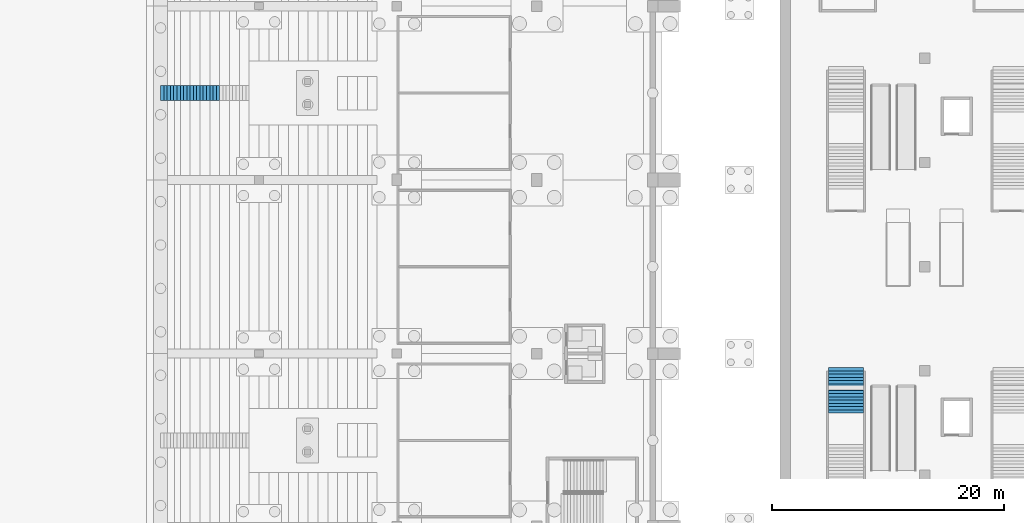
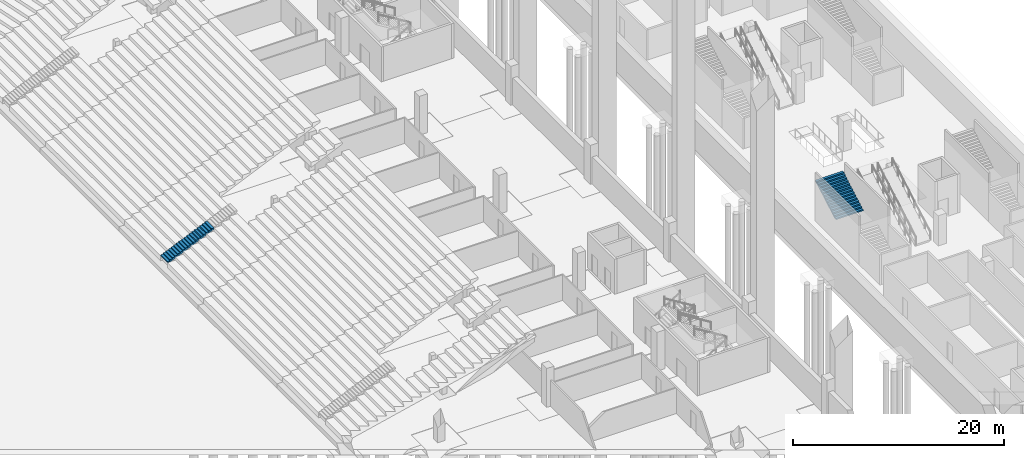
# One storey, part 85 of 115: 2 stair flights, 2 elements without a shape of their own.
"""IFC4 building model written with IfcOpenShell, lengths in metres."""

from ifc_helpers import new_model, si_unit, direction, frame, origin, place, context, subcontext, project, spatial, faceted_brep, material, type_object, element, aggregate, save


model = new_model("IFC4")

# Units and contexts
model_context = context("Model", 3, precision=1e-05, world=origin(), true_north=direction((0.0, 1.0)))
body_context = subcontext(model_context, "Body", "Model", "MODEL_VIEW")
ifc_project = project(units=[si_unit("LENGTHUNIT", "METRE"), si_unit("AREAUNIT", "SQUARE_METRE"), si_unit("VOLUMEUNIT", "CUBIC_METRE"), si_unit("PLANEANGLEUNIT", "RADIAN"), si_unit("MASSUNIT", "GRAM", prefix="KILO")], contexts=[model_context])

# Site, building, storey
site_placement = place(None, origin())
site = spatial("IfcSite", under=ifc_project, at=site_placement, CompositionType="ELEMENT")
building_placement = place(site_placement, origin())
building = spatial("IfcBuilding", under=site, at=building_placement, Name="Ogive Plaza Stadium", CompositionType="ELEMENT")
storey_placement = place(building_placement, frame((0.0, 0.0, -4.5)))
storey = spatial("IfcBuildingStorey", under=building, at=storey_placement, Name="B1", CompositionType="ELEMENT", Elevation=-4.5)

# Stair, stair flight
ifc_material_1 = material(Name="Concrete C40/50", Category="concrete")
stair_type_1 = type_object("IfcStairType", Name="Aisle stair", PredefinedType="STRAIGHT_RUN_STAIR", material=ifc_material_1)
stair_1_placement = place(storey_placement, origin())
stair_1 = element("IfcStair", 1, at=stair_1_placement, inside=storey, type_object=stair_type_1, Name="Aisle stair SA03D", PredefinedType="STRAIGHT_RUN_STAIR")
ifc_material_2 = material(Name="Concrete C40/50", Category="concrete")
stair_flight_type_1 = type_object("IfcStairFlightType", Name="Aisle stair flight", PredefinedType="STRAIGHT", material=ifc_material_2)
stair_flight_1_placement = place(storey_placement, frame((41.5, 15.0, 1.125), z_axis=(0.0, 0.0, 1.0), x_axis=(1.0, 0.0, 0.0)))
stair_flight_1 = element("IfcStairFlight", 2, at=stair_flight_1_placement, type_object=stair_flight_type_1, Name="SA03D flight 1", NumberOfRisers=18, NumberOfTreads=17, PredefinedType="STRAIGHT", RiserHeight=0.125, TreadLength=0.283333333, context=body_context, shape_type="Brep", body=[
    faceted_brep([(0.371337890625, -0.64990234375, 0.0), (5.10009765625, -0.64990234375, 2.086181640625), (5.10009765625, -0.64990234375, 2.25), (4.816650390625, -0.64990234375, 2.25), (4.816650390625, -0.64990234375, 2.125), (4.533447265625, -0.64990234375, 2.125), (4.533447265625, -0.64990234375, 2.0), (4.25, -0.64990234375, 2.0), (4.25, -0.64990234375, 1.875), (3.966552734375, -0.64990234375, 1.875), (3.966552734375, -0.64990234375, 1.75), (3.683349609375, -0.64990234375, 1.75), (3.683349609375, -0.64990234375, 1.625), (3.39990234375, -0.64990234375, 1.625), (3.39990234375, -0.64990234375, 1.5), (3.11669921875, -0.64990234375, 1.5), (3.11669921875, -0.64990234375, 1.375), (2.833251953125, -0.64990234375, 1.375), (2.833251953125, -0.64990234375, 1.25), (2.550048828125, -0.64990234375, 1.25), (2.550048828125, -0.64990234375, 1.125), (2.2666015625, -0.64990234375, 1.125), (2.2666015625, -0.64990234375, 1.0), (1.9833984375, -0.64990234375, 1.0), (1.9833984375, -0.64990234375, 0.875), (1.699951171875, -0.64990234375, 0.875), (1.699951171875, -0.64990234375, 0.75), (1.416748046875, -0.64990234375, 0.75), (1.416748046875, -0.64990234375, 0.625), (1.13330078125, -0.64990234375, 0.625), (1.13330078125, -0.64990234375, 0.5), (0.85009765625, -0.64990234375, 0.5), (0.85009765625, -0.64990234375, 0.375), (0.566650390625, -0.64990234375, 0.375), (0.566650390625, -0.64990234375, 0.25), (0.283447265625, -0.64990234375, 0.25), (0.283447265625, -0.64990234375, 0.125), (0.0, -0.64990234375, 0.125), (0.0, -0.64990234375, 0.0), (0.0, 0.64990234375, 0.0), (0.0, 0.64990234375, 0.125), (0.283447265625, 0.64990234375, 0.125), (0.283447265625, 0.64990234375, 0.25), (0.566650390625, 0.64990234375, 0.25), (0.566650390625, 0.64990234375, 0.375), (0.85009765625, 0.64990234375, 0.375), (0.85009765625, 0.64990234375, 0.5), (1.13330078125, 0.64990234375, 0.5), (1.13330078125, 0.64990234375, 0.625), (1.416748046875, 0.64990234375, 0.625), (1.416748046875, 0.64990234375, 0.75), (1.699951171875, 0.64990234375, 0.75), (1.699951171875, 0.64990234375, 0.875), (1.9833984375, 0.64990234375, 0.875), (1.9833984375, 0.64990234375, 1.0), (2.2666015625, 0.64990234375, 1.0), (2.2666015625, 0.64990234375, 1.125), (2.550048828125, 0.64990234375, 1.125), (2.550048828125, 0.64990234375, 1.25), (2.833251953125, 0.64990234375, 1.25), (2.833251953125, 0.64990234375, 1.375), (3.11669921875, 0.64990234375, 1.375), (3.11669921875, 0.64990234375, 1.5), (3.39990234375, 0.64990234375, 1.5), (3.39990234375, 0.64990234375, 1.625), (3.683349609375, 0.64990234375, 1.625), (3.683349609375, 0.64990234375, 1.75), (3.966552734375, 0.64990234375, 1.75), (3.966552734375, 0.64990234375, 1.875), (4.25, 0.64990234375, 1.875), (4.25, 0.64990234375, 2.0), (4.533447265625, 0.64990234375, 2.0), (4.533447265625, 0.64990234375, 2.125), (4.816650390625, 0.64990234375, 2.125), (4.816650390625, 0.64990234375, 2.25), (5.10009765625, 0.64990234375, 2.25), (5.10009765625, 0.64990234375, 2.086181640625), (0.371337890625, 0.64990234375, 0.0), (0.371337890625, -0.324951171875, 0.0), (5.10009765625, -0.324951171875, 2.086181640625), (0.371337890625, 0.0, 0.0), (5.10009765625, 0.0, 2.086181640625), (0.371337890625, 0.324951171875, 0.0), (5.10009765625, 0.324951171875, 2.086181640625), (5.10009765625, -0.324951171875, 2.25), (5.10009765625, 0.0, 2.25), (5.10009765625, 0.324951171875, 2.25), (4.816650390625, -0.324951171875, 2.25), (4.816650390625, 0.0, 2.25), (4.816650390625, 0.324951171875, 2.25), (4.816650390625, -0.324951171875, 2.125), (4.816650390625, 0.0, 2.125), (4.816650390625, 0.324951171875, 2.125), (4.533447265625, -0.324951171875, 2.125), (4.533447265625, 0.0, 2.125), (4.533447265625, 0.324951171875, 2.125), (4.533447265625, -0.324951171875, 2.0), (4.533447265625, 0.0, 2.0), (4.533447265625, 0.324951171875, 2.0), (4.25, -0.324951171875, 2.0), (4.25, 0.0, 2.0), (4.25, 0.324951171875, 2.0), (4.25, -0.324951171875, 1.875), (4.25, 0.0, 1.875), (4.25, 0.324951171875, 1.875), (3.966552734375, -0.324951171875, 1.875), (3.966552734375, 0.0, 1.875), (3.966552734375, 0.324951171875, 1.875), (3.966552734375, -0.324951171875, 1.75), (3.966552734375, 0.0, 1.75), (3.966552734375, 0.324951171875, 1.75), (3.683349609375, -0.324951171875, 1.75), (3.683349609375, 0.0, 1.75), (3.683349609375, 0.324951171875, 1.75), (3.683349609375, -0.324951171875, 1.625), (3.683349609375, 0.0, 1.625), (3.683349609375, 0.324951171875, 1.625), (3.39990234375, -0.324951171875, 1.625), (3.39990234375, 0.0, 1.625), (3.39990234375, 0.324951171875, 1.625), (3.39990234375, -0.324951171875, 1.5), (3.39990234375, 0.0, 1.5), (3.39990234375, 0.324951171875, 1.5), (3.11669921875, -0.324951171875, 1.5), (3.11669921875, 0.0, 1.5), (3.11669921875, 0.324951171875, 1.5), (3.11669921875, -0.324951171875, 1.375), (3.11669921875, 0.0, 1.375), (3.11669921875, 0.324951171875, 1.375), (2.833251953125, -0.324951171875, 1.375), (2.833251953125, 0.0, 1.375), (2.833251953125, 0.324951171875, 1.375), (2.833251953125, -0.324951171875, 1.25), (2.833251953125, 0.0, 1.25), (2.833251953125, 0.324951171875, 1.25), (2.550048828125, -0.324951171875, 1.25), (2.550048828125, 0.0, 1.25), (2.550048828125, 0.324951171875, 1.25), (2.550048828125, -0.324951171875, 1.125), (2.550048828125, 0.0, 1.125), (2.550048828125, 0.324951171875, 1.125), (2.2666015625, -0.324951171875, 1.125), (2.2666015625, 0.0, 1.125), (2.2666015625, 0.324951171875, 1.125), (2.2666015625, -0.324951171875, 1.0), (2.2666015625, 0.0, 1.0), (2.2666015625, 0.324951171875, 1.0), (1.9833984375, -0.324951171875, 1.0), (1.9833984375, 0.0, 1.0), (1.9833984375, 0.324951171875, 1.0), (1.9833984375, -0.324951171875, 0.875), (1.9833984375, 0.0, 0.875), (1.9833984375, 0.324951171875, 0.875), (1.699951171875, -0.324951171875, 0.875), (1.699951171875, 0.0, 0.875), (1.699951171875, 0.324951171875, 0.875), (1.699951171875, -0.324951171875, 0.75), (1.699951171875, 0.0, 0.75), (1.699951171875, 0.324951171875, 0.75), (1.416748046875, -0.324951171875, 0.75), (1.416748046875, 0.0, 0.75), (1.416748046875, 0.324951171875, 0.75), (1.416748046875, -0.324951171875, 0.625), (1.416748046875, 0.0, 0.625), (1.416748046875, 0.324951171875, 0.625), (1.13330078125, -0.324951171875, 0.625), (1.13330078125, 0.0, 0.625), (1.13330078125, 0.324951171875, 0.625), (1.13330078125, -0.324951171875, 0.5), (1.13330078125, 0.0, 0.5), (1.13330078125, 0.324951171875, 0.5), (0.85009765625, -0.324951171875, 0.5), (0.85009765625, 0.0, 0.5), (0.85009765625, 0.324951171875, 0.5), (0.85009765625, -0.324951171875, 0.375), (0.85009765625, 0.0, 0.375), (0.85009765625, 0.324951171875, 0.375), (0.566650390625, -0.324951171875, 0.375), (0.566650390625, 0.0, 0.375), (0.566650390625, 0.324951171875, 0.375), (0.566650390625, -0.324951171875, 0.25), (0.566650390625, 0.0, 0.25), (0.566650390625, 0.324951171875, 0.25), (0.283447265625, -0.324951171875, 0.25), (0.283447265625, 0.0, 0.25), (0.283447265625, 0.324951171875, 0.25), (0.283447265625, -0.324951171875, 0.125), (0.283447265625, 0.0, 0.125), (0.283447265625, 0.324951171875, 0.125), (0.0, -0.324951171875, 0.125), (0.0, 0.0, 0.125), (0.0, 0.324951171875, 0.125), (0.0, -0.324951171875, 0.0), (0.0, 0.0, 0.0), (0.0, 0.324951171875, 0.0)], [[[0, 1, 2, 3, 4, 5, 6, 7, 8, 9, 10, 11, 12, 13, 14, 15, 16, 17, 18, 19, 20, 21, 22, 23, 24, 25, 26, 27, 28, 29, 30, 31, 32, 33, 34, 35, 36, 37, 38]], [[39, 40, 41, 42, 43, 44, 45, 46, 47, 48, 49, 50, 51, 52, 53, 54, 55, 56, 57, 58, 59, 60, 61, 62, 63, 64, 65, 66, 67, 68, 69, 70, 71, 72, 73, 74, 75, 76, 77]], [[0, 78, 79, 1]], [[78, 80, 81, 79]], [[80, 82, 83, 81]], [[82, 77, 76, 83]], [[1, 79, 84, 2]], [[79, 81, 85, 84]], [[81, 83, 86, 85]], [[83, 76, 75, 86]], [[2, 84, 87, 3]], [[84, 85, 88, 87]], [[85, 86, 89, 88]], [[86, 75, 74, 89]], [[3, 87, 90, 4]], [[87, 88, 91, 90]], [[88, 89, 92, 91]], [[89, 74, 73, 92]], [[4, 90, 93, 5]], [[90, 91, 94, 93]], [[91, 92, 95, 94]], [[92, 73, 72, 95]], [[5, 93, 96, 6]], [[93, 94, 97, 96]], [[94, 95, 98, 97]], [[95, 72, 71, 98]], [[6, 96, 99, 7]], [[96, 97, 100, 99]], [[97, 98, 101, 100]], [[98, 71, 70, 101]], [[7, 99, 102, 8]], [[99, 100, 103, 102]], [[100, 101, 104, 103]], [[101, 70, 69, 104]], [[8, 102, 105, 9]], [[102, 103, 106, 105]], [[103, 104, 107, 106]], [[104, 69, 68, 107]], [[9, 105, 108, 10]], [[105, 106, 109, 108]], [[106, 107, 110, 109]], [[107, 68, 67, 110]], [[10, 108, 111, 11]], [[108, 109, 112, 111]], [[109, 110, 113, 112]], [[110, 67, 66, 113]], [[11, 111, 114, 12]], [[111, 112, 115, 114]], [[112, 113, 116, 115]], [[113, 66, 65, 116]], [[12, 114, 117, 13]], [[114, 115, 118, 117]], [[115, 116, 119, 118]], [[116, 65, 64, 119]], [[13, 117, 120, 14]], [[117, 118, 121, 120]], [[118, 119, 122, 121]], [[119, 64, 63, 122]], [[14, 120, 123, 15]], [[120, 121, 124, 123]], [[121, 122, 125, 124]], [[122, 63, 62, 125]], [[15, 123, 126, 16]], [[123, 124, 127, 126]], [[124, 125, 128, 127]], [[125, 62, 61, 128]], [[16, 126, 129, 17]], [[126, 127, 130, 129]], [[127, 128, 131, 130]], [[128, 61, 60, 131]], [[17, 129, 132, 18]], [[129, 130, 133, 132]], [[130, 131, 134, 133]], [[131, 60, 59, 134]], [[18, 132, 135, 19]], [[132, 133, 136, 135]], [[133, 134, 137, 136]], [[134, 59, 58, 137]], [[19, 135, 138, 20]], [[135, 136, 139, 138]], [[136, 137, 140, 139]], [[137, 58, 57, 140]], [[20, 138, 141, 21]], [[138, 139, 142, 141]], [[139, 140, 143, 142]], [[140, 57, 56, 143]], [[21, 141, 144, 22]], [[141, 142, 145, 144]], [[142, 143, 146, 145]], [[143, 56, 55, 146]], [[22, 144, 147, 23]], [[144, 145, 148, 147]], [[145, 146, 149, 148]], [[146, 55, 54, 149]], [[23, 147, 150, 24]], [[147, 148, 151, 150]], [[148, 149, 152, 151]], [[149, 54, 53, 152]], [[24, 150, 153, 25]], [[150, 151, 154, 153]], [[151, 152, 155, 154]], [[152, 53, 52, 155]], [[25, 153, 156, 26]], [[153, 154, 157, 156]], [[154, 155, 158, 157]], [[155, 52, 51, 158]], [[26, 156, 159, 27]], [[156, 157, 160, 159]], [[157, 158, 161, 160]], [[158, 51, 50, 161]], [[27, 159, 162, 28]], [[159, 160, 163, 162]], [[160, 161, 164, 163]], [[161, 50, 49, 164]], [[28, 162, 165, 29]], [[162, 163, 166, 165]], [[163, 164, 167, 166]], [[164, 49, 48, 167]], [[29, 165, 168, 30]], [[165, 166, 169, 168]], [[166, 167, 170, 169]], [[167, 48, 47, 170]], [[30, 168, 171, 31]], [[168, 169, 172, 171]], [[169, 170, 173, 172]], [[170, 47, 46, 173]], [[31, 171, 174, 32]], [[171, 172, 175, 174]], [[172, 173, 176, 175]], [[173, 46, 45, 176]], [[32, 174, 177, 33]], [[174, 175, 178, 177]], [[175, 176, 179, 178]], [[176, 45, 44, 179]], [[33, 177, 180, 34]], [[177, 178, 181, 180]], [[178, 179, 182, 181]], [[179, 44, 43, 182]], [[34, 180, 183, 35]], [[180, 181, 184, 183]], [[181, 182, 185, 184]], [[182, 43, 42, 185]], [[35, 183, 186, 36]], [[183, 184, 187, 186]], [[184, 185, 188, 187]], [[185, 42, 41, 188]], [[36, 186, 189, 37]], [[186, 187, 190, 189]], [[187, 188, 191, 190]], [[188, 41, 40, 191]], [[37, 189, 192, 38]], [[189, 190, 193, 192]], [[190, 191, 194, 193]], [[191, 40, 39, 194]], [[38, 192, 78, 0]], [[192, 193, 80, 78]], [[193, 194, 82, 80]], [[194, 39, 77, 82]]]),
])
aggregate(stair_1, [stair_flight_1])

ifc_material_3 = material(Name="Concrete C40/50", Category="concrete")
stair_type_2 = type_object("IfcStairType", Name="Station stair 3000", PredefinedType="TWO_STRAIGHT_RUN_STAIR", material=ifc_material_3)
stair_2_placement = place(storey_placement, origin())
stair_2 = element("IfcStair", 3, at=stair_2_placement, inside=storey, type_object=stair_type_2, Name="Stair QS1", PredefinedType="TWO_STRAIGHT_RUN_STAIR")
ifc_material_4 = material(Name="Concrete C40/50", Category="concrete")
stair_flight_type_2 = type_object("IfcStairFlightType", Name="Station stair flight 3000", PredefinedType="STRAIGHT", material=ifc_material_4)
stair_flight_2_placement = place(storey_placement, frame((100.699951171875, -12.639892578125, 2.25), z_axis=(0.0, 0.0, 1.0), x_axis=(0.0, 1.0, 0.0)))
stair_flight_2 = element("IfcStairFlight", 4, at=stair_flight_2_placement, type_object=stair_flight_type_2, Name="QS1 flight 2", NumberOfRisers=14, NumberOfTreads=13, PredefinedType="STRAIGHT", RiserHeight=0.160714286, TreadLength=0.28, context=body_context, shape_type="Brep", body=[
    faceted_brep([(0.301025390625, -1.5, 0.0), (3.919921875, -1.5, 2.0771484375), (3.919921875, -1.5, 2.25), (3.639892578125, -1.5, 2.25), (3.639892578125, -1.5, 2.08935546875), (3.360107421875, -1.5, 2.08935546875), (3.360107421875, -1.5, 1.928466796875), (3.080078125, -1.5, 1.928466796875), (3.080078125, -1.5, 1.767822265625), (2.800048828125, -1.5, 1.767822265625), (2.800048828125, -1.5, 1.607177734375), (2.52001953125, -1.5, 1.607177734375), (2.52001953125, -1.5, 1.446533203125), (2.239990234375, -1.5, 1.446533203125), (2.239990234375, -1.5, 1.28564453125), (1.9599609375, -1.5, 1.28564453125), (1.9599609375, -1.5, 1.125), (1.679931640625, -1.5, 1.125), (1.679931640625, -1.5, 0.96435546875), (1.39990234375, -1.5, 0.96435546875), (1.39990234375, -1.5, 0.803466796875), (1.1201171875, -1.5, 0.803466796875), (1.1201171875, -1.5, 0.642822265625), (0.840087890625, -1.5, 0.642822265625), (0.840087890625, -1.5, 0.482177734375), (0.56005859375, -1.5, 0.482177734375), (0.56005859375, -1.5, 0.321533203125), (0.280029296875, -1.5, 0.321533203125), (0.280029296875, -1.5, 0.16064453125), (0.0, -1.5, 0.16064453125), (0.0, -1.5, 0.0), (0.0, 1.5, 0.0), (0.0, 1.5, 0.16064453125), (0.280029296875, 1.5, 0.16064453125), (0.280029296875, 1.5, 0.321533203125), (0.56005859375, 1.5, 0.321533203125), (0.56005859375, 1.5, 0.482177734375), (0.840087890625, 1.5, 0.482177734375), (0.840087890625, 1.5, 0.642822265625), (1.1201171875, 1.5, 0.642822265625), (1.1201171875, 1.5, 0.803466796875), (1.39990234375, 1.5, 0.803466796875), (1.39990234375, 1.5, 0.96435546875), (1.679931640625, 1.5, 0.96435546875), (1.679931640625, 1.5, 1.125), (1.9599609375, 1.5, 1.125), (1.9599609375, 1.5, 1.28564453125), (2.239990234375, 1.5, 1.28564453125), (2.239990234375, 1.5, 1.446533203125), (2.52001953125, 1.5, 1.446533203125), (2.52001953125, 1.5, 1.607177734375), (2.800048828125, 1.5, 1.607177734375), (2.800048828125, 1.5, 1.767822265625), (3.080078125, 1.5, 1.767822265625), (3.080078125, 1.5, 1.928466796875), (3.360107421875, 1.5, 1.928466796875), (3.360107421875, 1.5, 2.08935546875), (3.639892578125, 1.5, 2.08935546875), (3.639892578125, 1.5, 2.25), (3.919921875, 1.5, 2.25), (3.919921875, 1.5, 2.0771484375), (0.301025390625, 1.5, 0.0), (0.301025390625, -1.166748046875, 0.0), (3.919921875, -1.166748046875, 2.0771484375), (0.301025390625, -0.833251953125, 0.0), (3.919921875, -0.833251953125, 2.0771484375), (0.301025390625, -0.5, 0.0), (3.919921875, -0.5, 2.0771484375), (0.301025390625, -0.166748046875, 0.0), (3.919921875, -0.166748046875, 2.0771484375), (0.301025390625, 0.166748046875, 0.0), (3.919921875, 0.166748046875, 2.0771484375), (0.301025390625, 0.5, 0.0), (3.919921875, 0.5, 2.0771484375), (0.301025390625, 0.833251953125, 0.0), (3.919921875, 0.833251953125, 2.0771484375), (0.301025390625, 1.166748046875, 0.0), (3.919921875, 1.166748046875, 2.0771484375), (3.919921875, -1.166748046875, 2.25), (3.919921875, -0.833251953125, 2.25), (3.919921875, -0.5, 2.25), (3.919921875, -0.166748046875, 2.25), (3.919921875, 0.166748046875, 2.25), (3.919921875, 0.5, 2.25), (3.919921875, 0.833251953125, 2.25), (3.919921875, 1.166748046875, 2.25), (3.639892578125, -1.166748046875, 2.25), (3.639892578125, -0.833251953125, 2.25), (3.639892578125, -0.5, 2.25), (3.639892578125, -0.166748046875, 2.25), (3.639892578125, 0.166748046875, 2.25), (3.639892578125, 0.5, 2.25), (3.639892578125, 0.833251953125, 2.25), (3.639892578125, 1.166748046875, 2.25), (3.639892578125, -1.166748046875, 2.08935546875), (3.639892578125, -0.833251953125, 2.08935546875), (3.639892578125, -0.5, 2.08935546875), (3.639892578125, -0.166748046875, 2.08935546875), (3.639892578125, 0.166748046875, 2.08935546875), (3.639892578125, 0.5, 2.08935546875), (3.639892578125, 0.833251953125, 2.08935546875), (3.639892578125, 1.166748046875, 2.08935546875), (3.360107421875, -1.166748046875, 2.08935546875), (3.360107421875, -0.833251953125, 2.08935546875), (3.360107421875, -0.5, 2.08935546875), (3.360107421875, -0.166748046875, 2.08935546875), (3.360107421875, 0.166748046875, 2.08935546875), (3.360107421875, 0.5, 2.08935546875), (3.360107421875, 0.833251953125, 2.08935546875), (3.360107421875, 1.166748046875, 2.08935546875), (3.360107421875, -1.166748046875, 1.928466796875), (3.360107421875, -0.833251953125, 1.928466796875), (3.360107421875, -0.5, 1.928466796875), (3.360107421875, -0.166748046875, 1.928466796875), (3.360107421875, 0.166748046875, 1.928466796875), (3.360107421875, 0.5, 1.928466796875), (3.360107421875, 0.833251953125, 1.928466796875), (3.360107421875, 1.166748046875, 1.928466796875), (3.080078125, -1.166748046875, 1.928466796875), (3.080078125, -0.833251953125, 1.928466796875), (3.080078125, -0.5, 1.928466796875), (3.080078125, -0.166748046875, 1.928466796875), (3.080078125, 0.166748046875, 1.928466796875), (3.080078125, 0.5, 1.928466796875), (3.080078125, 0.833251953125, 1.928466796875), (3.080078125, 1.166748046875, 1.928466796875), (3.080078125, -1.166748046875, 1.767822265625), (3.080078125, -0.833251953125, 1.767822265625), (3.080078125, -0.5, 1.767822265625), (3.080078125, -0.166748046875, 1.767822265625), (3.080078125, 0.166748046875, 1.767822265625), (3.080078125, 0.5, 1.767822265625), (3.080078125, 0.833251953125, 1.767822265625), (3.080078125, 1.166748046875, 1.767822265625), (2.800048828125, -1.166748046875, 1.767822265625), (2.800048828125, -0.833251953125, 1.767822265625), (2.800048828125, -0.5, 1.767822265625), (2.800048828125, -0.166748046875, 1.767822265625), (2.800048828125, 0.166748046875, 1.767822265625), (2.800048828125, 0.5, 1.767822265625), (2.800048828125, 0.833251953125, 1.767822265625), (2.800048828125, 1.166748046875, 1.767822265625), (2.800048828125, -1.166748046875, 1.607177734375), (2.800048828125, -0.833251953125, 1.607177734375), (2.800048828125, -0.5, 1.607177734375), (2.800048828125, -0.166748046875, 1.607177734375), (2.800048828125, 0.166748046875, 1.607177734375), (2.800048828125, 0.5, 1.607177734375), (2.800048828125, 0.833251953125, 1.607177734375), (2.800048828125, 1.166748046875, 1.607177734375), (2.52001953125, -1.166748046875, 1.607177734375), (2.52001953125, -0.833251953125, 1.607177734375), (2.52001953125, -0.5, 1.607177734375), (2.52001953125, -0.166748046875, 1.607177734375), (2.52001953125, 0.166748046875, 1.607177734375), (2.52001953125, 0.5, 1.607177734375), (2.52001953125, 0.833251953125, 1.607177734375), (2.52001953125, 1.166748046875, 1.607177734375), (2.52001953125, -1.166748046875, 1.446533203125), (2.52001953125, -0.833251953125, 1.446533203125), (2.52001953125, -0.5, 1.446533203125), (2.52001953125, -0.166748046875, 1.446533203125), (2.52001953125, 0.166748046875, 1.446533203125), (2.52001953125, 0.5, 1.446533203125), (2.52001953125, 0.833251953125, 1.446533203125), (2.52001953125, 1.166748046875, 1.446533203125), (2.239990234375, -1.166748046875, 1.446533203125), (2.239990234375, -0.833251953125, 1.446533203125), (2.239990234375, -0.5, 1.446533203125), (2.239990234375, -0.166748046875, 1.446533203125), (2.239990234375, 0.166748046875, 1.446533203125), (2.239990234375, 0.5, 1.446533203125), (2.239990234375, 0.833251953125, 1.446533203125), (2.239990234375, 1.166748046875, 1.446533203125), (2.239990234375, -1.166748046875, 1.28564453125), (2.239990234375, -0.833251953125, 1.28564453125), (2.239990234375, -0.5, 1.28564453125), (2.239990234375, -0.166748046875, 1.28564453125), (2.239990234375, 0.166748046875, 1.28564453125), (2.239990234375, 0.5, 1.28564453125), (2.239990234375, 0.833251953125, 1.28564453125), (2.239990234375, 1.166748046875, 1.28564453125), (1.9599609375, -1.166748046875, 1.28564453125), (1.9599609375, -0.833251953125, 1.28564453125), (1.9599609375, -0.5, 1.28564453125), (1.9599609375, -0.166748046875, 1.28564453125), (1.9599609375, 0.166748046875, 1.28564453125), (1.9599609375, 0.5, 1.28564453125), (1.9599609375, 0.833251953125, 1.28564453125), (1.9599609375, 1.166748046875, 1.28564453125), (1.9599609375, -1.166748046875, 1.125), (1.9599609375, -0.833251953125, 1.125), (1.9599609375, -0.5, 1.125), (1.9599609375, -0.166748046875, 1.125), (1.9599609375, 0.166748046875, 1.125), (1.9599609375, 0.5, 1.125), (1.9599609375, 0.833251953125, 1.125), (1.9599609375, 1.166748046875, 1.125), (1.679931640625, -1.166748046875, 1.125), (1.679931640625, -0.833251953125, 1.125), (1.679931640625, -0.5, 1.125), (1.679931640625, -0.166748046875, 1.125), (1.679931640625, 0.166748046875, 1.125), (1.679931640625, 0.5, 1.125), (1.679931640625, 0.833251953125, 1.125), (1.679931640625, 1.166748046875, 1.125), (1.679931640625, -1.166748046875, 0.96435546875), (1.679931640625, -0.833251953125, 0.96435546875), (1.679931640625, -0.5, 0.96435546875), (1.679931640625, -0.166748046875, 0.96435546875), (1.679931640625, 0.166748046875, 0.96435546875), (1.679931640625, 0.5, 0.96435546875), (1.679931640625, 0.833251953125, 0.96435546875), (1.679931640625, 1.166748046875, 0.96435546875), (1.39990234375, -1.166748046875, 0.96435546875), (1.39990234375, -0.833251953125, 0.96435546875), (1.39990234375, -0.5, 0.96435546875), (1.39990234375, -0.166748046875, 0.96435546875), (1.39990234375, 0.166748046875, 0.96435546875), (1.39990234375, 0.5, 0.96435546875), (1.39990234375, 0.833251953125, 0.96435546875), (1.39990234375, 1.166748046875, 0.96435546875), (1.39990234375, -1.166748046875, 0.803466796875), (1.39990234375, -0.833251953125, 0.803466796875), (1.39990234375, -0.5, 0.803466796875), (1.39990234375, -0.166748046875, 0.803466796875), (1.39990234375, 0.166748046875, 0.803466796875), (1.39990234375, 0.5, 0.803466796875), (1.39990234375, 0.833251953125, 0.803466796875), (1.39990234375, 1.166748046875, 0.803466796875), (1.1201171875, -1.166748046875, 0.803466796875), (1.1201171875, -0.833251953125, 0.803466796875), (1.1201171875, -0.5, 0.803466796875), (1.1201171875, -0.166748046875, 0.803466796875), (1.1201171875, 0.166748046875, 0.803466796875), (1.1201171875, 0.5, 0.803466796875), (1.1201171875, 0.833251953125, 0.803466796875), (1.1201171875, 1.166748046875, 0.803466796875), (1.1201171875, -1.166748046875, 0.642822265625), (1.1201171875, -0.833251953125, 0.642822265625), (1.1201171875, -0.5, 0.642822265625), (1.1201171875, -0.166748046875, 0.642822265625), (1.1201171875, 0.166748046875, 0.642822265625), (1.1201171875, 0.5, 0.642822265625), (1.1201171875, 0.833251953125, 0.642822265625), (1.1201171875, 1.166748046875, 0.642822265625), (0.840087890625, -1.166748046875, 0.642822265625), (0.840087890625, -0.833251953125, 0.642822265625), (0.840087890625, -0.5, 0.642822265625), (0.840087890625, -0.166748046875, 0.642822265625), (0.840087890625, 0.166748046875, 0.642822265625), (0.840087890625, 0.5, 0.642822265625), (0.840087890625, 0.833251953125, 0.642822265625), (0.840087890625, 1.166748046875, 0.642822265625), (0.840087890625, -1.166748046875, 0.482177734375), (0.840087890625, -0.833251953125, 0.482177734375), (0.840087890625, -0.5, 0.482177734375), (0.840087890625, -0.166748046875, 0.482177734375), (0.840087890625, 0.166748046875, 0.482177734375), (0.840087890625, 0.5, 0.482177734375), (0.840087890625, 0.833251953125, 0.482177734375), (0.840087890625, 1.166748046875, 0.482177734375), (0.56005859375, -1.166748046875, 0.482177734375), (0.56005859375, -0.833251953125, 0.482177734375), (0.56005859375, -0.5, 0.482177734375), (0.56005859375, -0.166748046875, 0.482177734375), (0.56005859375, 0.166748046875, 0.482177734375), (0.56005859375, 0.5, 0.482177734375), (0.56005859375, 0.833251953125, 0.482177734375), (0.56005859375, 1.166748046875, 0.482177734375), (0.56005859375, -1.166748046875, 0.321533203125), (0.56005859375, -0.833251953125, 0.321533203125), (0.56005859375, -0.5, 0.321533203125), (0.56005859375, -0.166748046875, 0.321533203125), (0.56005859375, 0.166748046875, 0.321533203125), (0.56005859375, 0.5, 0.321533203125), (0.56005859375, 0.833251953125, 0.321533203125), (0.56005859375, 1.166748046875, 0.321533203125), (0.280029296875, -1.166748046875, 0.321533203125), (0.280029296875, -0.833251953125, 0.321533203125), (0.280029296875, -0.5, 0.321533203125), (0.280029296875, -0.166748046875, 0.321533203125), (0.280029296875, 0.166748046875, 0.321533203125), (0.280029296875, 0.5, 0.321533203125), (0.280029296875, 0.833251953125, 0.321533203125), (0.280029296875, 1.166748046875, 0.321533203125), (0.280029296875, -1.166748046875, 0.16064453125), (0.280029296875, -0.833251953125, 0.16064453125), (0.280029296875, -0.5, 0.16064453125), (0.280029296875, -0.166748046875, 0.16064453125), (0.280029296875, 0.166748046875, 0.16064453125), (0.280029296875, 0.5, 0.16064453125), (0.280029296875, 0.833251953125, 0.16064453125), (0.280029296875, 1.166748046875, 0.16064453125), (0.0, -1.166748046875, 0.16064453125), (0.0, -0.833251953125, 0.16064453125), (0.0, -0.5, 0.16064453125), (0.0, -0.166748046875, 0.16064453125), (0.0, 0.166748046875, 0.16064453125), (0.0, 0.5, 0.16064453125), (0.0, 0.833251953125, 0.16064453125), (0.0, 1.166748046875, 0.16064453125), (0.0, -1.166748046875, 0.0), (0.0, -0.833251953125, 0.0), (0.0, -0.5, 0.0), (0.0, -0.166748046875, 0.0), (0.0, 0.166748046875, 0.0), (0.0, 0.5, 0.0), (0.0, 0.833251953125, 0.0), (0.0, 1.166748046875, 0.0)], [[[0, 1, 2, 3, 4, 5, 6, 7, 8, 9, 10, 11, 12, 13, 14, 15, 16, 17, 18, 19, 20, 21, 22, 23, 24, 25, 26, 27, 28, 29, 30]], [[31, 32, 33, 34, 35, 36, 37, 38, 39, 40, 41, 42, 43, 44, 45, 46, 47, 48, 49, 50, 51, 52, 53, 54, 55, 56, 57, 58, 59, 60, 61]], [[0, 62, 63, 1]], [[62, 64, 65, 63]], [[64, 66, 67, 65]], [[66, 68, 69, 67]], [[68, 70, 71, 69]], [[70, 72, 73, 71]], [[72, 74, 75, 73]], [[74, 76, 77, 75]], [[76, 61, 60, 77]], [[1, 63, 78, 2]], [[63, 65, 79, 78]], [[65, 67, 80, 79]], [[67, 69, 81, 80]], [[69, 71, 82, 81]], [[71, 73, 83, 82]], [[73, 75, 84, 83]], [[75, 77, 85, 84]], [[77, 60, 59, 85]], [[2, 78, 86, 3]], [[78, 79, 87, 86]], [[79, 80, 88, 87]], [[80, 81, 89, 88]], [[81, 82, 90, 89]], [[82, 83, 91, 90]], [[83, 84, 92, 91]], [[84, 85, 93, 92]], [[85, 59, 58, 93]], [[3, 86, 94, 4]], [[86, 87, 95, 94]], [[87, 88, 96, 95]], [[88, 89, 97, 96]], [[89, 90, 98, 97]], [[90, 91, 99, 98]], [[91, 92, 100, 99]], [[92, 93, 101, 100]], [[93, 58, 57, 101]], [[4, 94, 102, 5]], [[94, 95, 103, 102]], [[95, 96, 104, 103]], [[96, 97, 105, 104]], [[97, 98, 106, 105]], [[98, 99, 107, 106]], [[99, 100, 108, 107]], [[100, 101, 109, 108]], [[101, 57, 56, 109]], [[5, 102, 110, 6]], [[102, 103, 111, 110]], [[103, 104, 112, 111]], [[104, 105, 113, 112]], [[105, 106, 114, 113]], [[106, 107, 115, 114]], [[107, 108, 116, 115]], [[108, 109, 117, 116]], [[109, 56, 55, 117]], [[6, 110, 118, 7]], [[110, 111, 119, 118]], [[111, 112, 120, 119]], [[112, 113, 121, 120]], [[113, 114, 122, 121]], [[114, 115, 123, 122]], [[115, 116, 124, 123]], [[116, 117, 125, 124]], [[117, 55, 54, 125]], [[7, 118, 126, 8]], [[118, 119, 127, 126]], [[119, 120, 128, 127]], [[120, 121, 129, 128]], [[121, 122, 130, 129]], [[122, 123, 131, 130]], [[123, 124, 132, 131]], [[124, 125, 133, 132]], [[125, 54, 53, 133]], [[8, 126, 134, 9]], [[126, 127, 135, 134]], [[127, 128, 136, 135]], [[128, 129, 137, 136]], [[129, 130, 138, 137]], [[130, 131, 139, 138]], [[131, 132, 140, 139]], [[132, 133, 141, 140]], [[133, 53, 52, 141]], [[9, 134, 142, 10]], [[134, 135, 143, 142]], [[135, 136, 144, 143]], [[136, 137, 145, 144]], [[137, 138, 146, 145]], [[138, 139, 147, 146]], [[139, 140, 148, 147]], [[140, 141, 149, 148]], [[141, 52, 51, 149]], [[10, 142, 150, 11]], [[142, 143, 151, 150]], [[143, 144, 152, 151]], [[144, 145, 153, 152]], [[145, 146, 154, 153]], [[146, 147, 155, 154]], [[147, 148, 156, 155]], [[148, 149, 157, 156]], [[149, 51, 50, 157]], [[11, 150, 158, 12]], [[150, 151, 159, 158]], [[151, 152, 160, 159]], [[152, 153, 161, 160]], [[153, 154, 162, 161]], [[154, 155, 163, 162]], [[155, 156, 164, 163]], [[156, 157, 165, 164]], [[157, 50, 49, 165]], [[12, 158, 166, 13]], [[158, 159, 167, 166]], [[159, 160, 168, 167]], [[160, 161, 169, 168]], [[161, 162, 170, 169]], [[162, 163, 171, 170]], [[163, 164, 172, 171]], [[164, 165, 173, 172]], [[165, 49, 48, 173]], [[13, 166, 174, 14]], [[166, 167, 175, 174]], [[167, 168, 176, 175]], [[168, 169, 177, 176]], [[169, 170, 178, 177]], [[170, 171, 179, 178]], [[171, 172, 180, 179]], [[172, 173, 181, 180]], [[173, 48, 47, 181]], [[14, 174, 182, 15]], [[174, 175, 183, 182]], [[175, 176, 184, 183]], [[176, 177, 185, 184]], [[177, 178, 186, 185]], [[178, 179, 187, 186]], [[179, 180, 188, 187]], [[180, 181, 189, 188]], [[181, 47, 46, 189]], [[15, 182, 190, 16]], [[182, 183, 191, 190]], [[183, 184, 192, 191]], [[184, 185, 193, 192]], [[185, 186, 194, 193]], [[186, 187, 195, 194]], [[187, 188, 196, 195]], [[188, 189, 197, 196]], [[189, 46, 45, 197]], [[16, 190, 198, 17]], [[190, 191, 199, 198]], [[191, 192, 200, 199]], [[192, 193, 201, 200]], [[193, 194, 202, 201]], [[194, 195, 203, 202]], [[195, 196, 204, 203]], [[196, 197, 205, 204]], [[197, 45, 44, 205]], [[17, 198, 206, 18]], [[198, 199, 207, 206]], [[199, 200, 208, 207]], [[200, 201, 209, 208]], [[201, 202, 210, 209]], [[202, 203, 211, 210]], [[203, 204, 212, 211]], [[204, 205, 213, 212]], [[205, 44, 43, 213]], [[18, 206, 214, 19]], [[206, 207, 215, 214]], [[207, 208, 216, 215]], [[208, 209, 217, 216]], [[209, 210, 218, 217]], [[210, 211, 219, 218]], [[211, 212, 220, 219]], [[212, 213, 221, 220]], [[213, 43, 42, 221]], [[19, 214, 222, 20]], [[214, 215, 223, 222]], [[215, 216, 224, 223]], [[216, 217, 225, 224]], [[217, 218, 226, 225]], [[218, 219, 227, 226]], [[219, 220, 228, 227]], [[220, 221, 229, 228]], [[221, 42, 41, 229]], [[20, 222, 230, 21]], [[222, 223, 231, 230]], [[223, 224, 232, 231]], [[224, 225, 233, 232]], [[225, 226, 234, 233]], [[226, 227, 235, 234]], [[227, 228, 236, 235]], [[228, 229, 237, 236]], [[229, 41, 40, 237]], [[21, 230, 238, 22]], [[230, 231, 239, 238]], [[231, 232, 240, 239]], [[232, 233, 241, 240]], [[233, 234, 242, 241]], [[234, 235, 243, 242]], [[235, 236, 244, 243]], [[236, 237, 245, 244]], [[237, 40, 39, 245]], [[22, 238, 246, 23]], [[238, 239, 247, 246]], [[239, 240, 248, 247]], [[240, 241, 249, 248]], [[241, 242, 250, 249]], [[242, 243, 251, 250]], [[243, 244, 252, 251]], [[244, 245, 253, 252]], [[245, 39, 38, 253]], [[23, 246, 254, 24]], [[246, 247, 255, 254]], [[247, 248, 256, 255]], [[248, 249, 257, 256]], [[249, 250, 258, 257]], [[250, 251, 259, 258]], [[251, 252, 260, 259]], [[252, 253, 261, 260]], [[253, 38, 37, 261]], [[24, 254, 262, 25]], [[254, 255, 263, 262]], [[255, 256, 264, 263]], [[256, 257, 265, 264]], [[257, 258, 266, 265]], [[258, 259, 267, 266]], [[259, 260, 268, 267]], [[260, 261, 269, 268]], [[261, 37, 36, 269]], [[25, 262, 270, 26]], [[262, 263, 271, 270]], [[263, 264, 272, 271]], [[264, 265, 273, 272]], [[265, 266, 274, 273]], [[266, 267, 275, 274]], [[267, 268, 276, 275]], [[268, 269, 277, 276]], [[269, 36, 35, 277]], [[26, 270, 278, 27]], [[270, 271, 279, 278]], [[271, 272, 280, 279]], [[272, 273, 281, 280]], [[273, 274, 282, 281]], [[274, 275, 283, 282]], [[275, 276, 284, 283]], [[276, 277, 285, 284]], [[277, 35, 34, 285]], [[27, 278, 286, 28]], [[278, 279, 287, 286]], [[279, 280, 288, 287]], [[280, 281, 289, 288]], [[281, 282, 290, 289]], [[282, 283, 291, 290]], [[283, 284, 292, 291]], [[284, 285, 293, 292]], [[285, 34, 33, 293]], [[28, 286, 294, 29]], [[286, 287, 295, 294]], [[287, 288, 296, 295]], [[288, 289, 297, 296]], [[289, 290, 298, 297]], [[290, 291, 299, 298]], [[291, 292, 300, 299]], [[292, 293, 301, 300]], [[293, 33, 32, 301]], [[29, 294, 302, 30]], [[294, 295, 303, 302]], [[295, 296, 304, 303]], [[296, 297, 305, 304]], [[297, 298, 306, 305]], [[298, 299, 307, 306]], [[299, 300, 308, 307]], [[300, 301, 309, 308]], [[301, 32, 31, 309]], [[30, 302, 62, 0]], [[302, 303, 64, 62]], [[303, 304, 66, 64]], [[304, 305, 68, 66]], [[305, 306, 70, 68]], [[306, 307, 72, 70]], [[307, 308, 74, 72]], [[308, 309, 76, 74]], [[309, 31, 61, 76]]]),
])
aggregate(stair_2, [stair_flight_2])

save(model, "model.ifc")
